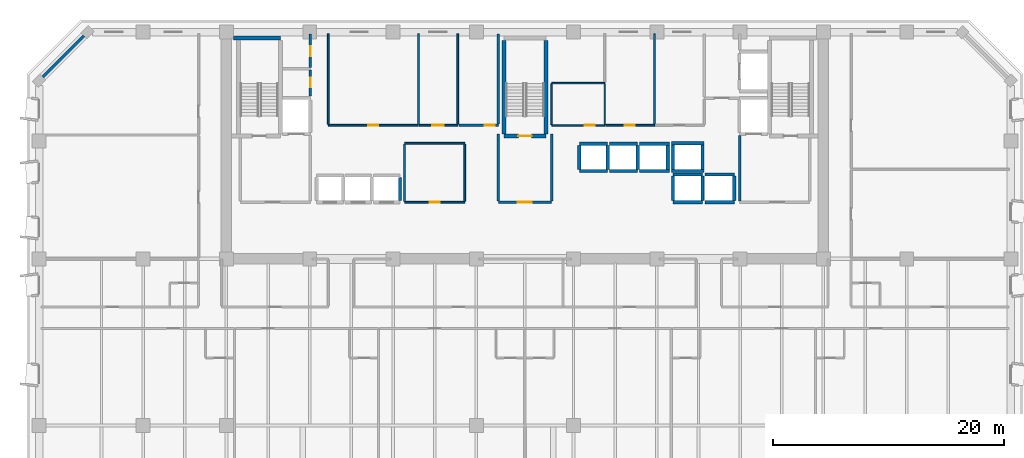
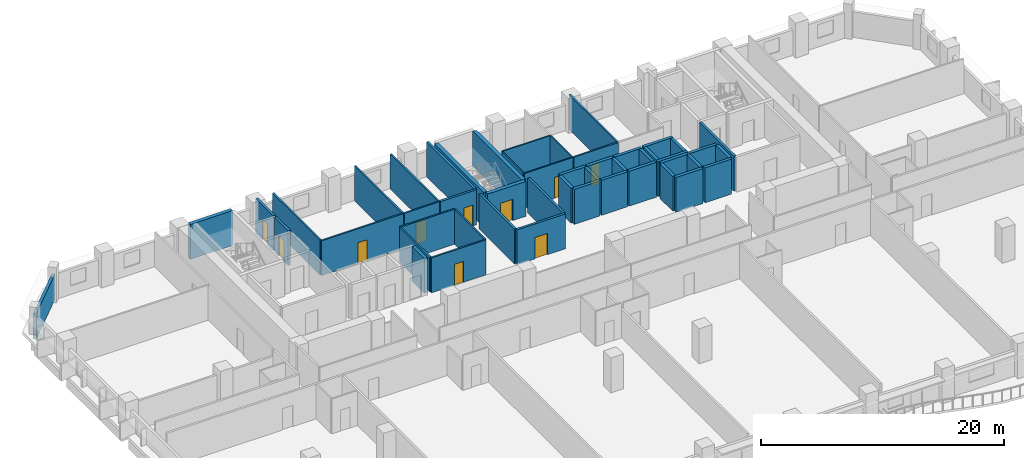
# One storey, part 7 of 15: 50 walls, 10 doors, 10 openings.
"""IFC4 building model written with IfcOpenShell, lengths in metres."""

from ifc_helpers import new_model, si_unit, direction, frame, frame_2d, origin, place, context, subcontext, project, spatial, rectangle, extrude, material, layer, layer_set, type_object, element, fill, save


model = new_model("IFC4")

# Units and contexts
model_context = context("Model", 3, precision=1e-05, world=origin(), true_north=direction((0.0, 1.0)))
body_context = subcontext(model_context, "Body", "Model", "MODEL_VIEW")
ifc_project = project(units=[si_unit("LENGTHUNIT", "METRE"), si_unit("AREAUNIT", "SQUARE_METRE"), si_unit("VOLUMEUNIT", "CUBIC_METRE"), si_unit("PLANEANGLEUNIT", "RADIAN"), si_unit("MASSUNIT", "GRAM", prefix="KILO")], contexts=[model_context])

# Site, building, storey
site_placement = place(None, origin())
site = spatial("IfcSite", under=ifc_project, at=site_placement, CompositionType="ELEMENT")
building_placement = place(site_placement, origin())
building = spatial("IfcBuilding", under=site, at=building_placement, Name="Kaelvorn Grand Hotel", CompositionType="ELEMENT")
storey_placement = place(building_placement, frame((0.0, 0.0, 111.800048828125)))
storey = spatial("IfcBuildingStorey", under=building, at=storey_placement, Name="L26", CompositionType="ELEMENT", Elevation=111.800048828125)

# Wall
ifc_material_1 = material(Name="Concrete C40/50", Category="concrete")
ifc_layer_1 = layer(ifc_material_1, 0.260009765625)
ifc_layer_set_1 = layer_set([ifc_layer_1], Name="Concrete C40/50")
wall_type_1 = type_object("IfcWallType", Name="WL-EXT-260-C40", PredefinedType="SOLIDWALL", material=ifc_layer_set_1)
wall_1_placement = place(storey_placement, frame((4.199951171875, 49.0, 0.0), z_axis=(0.0, 0.0, 1.0), x_axis=(-0.707106781187, -0.707106781187, 0.0)))
element("IfcWall", 1, at=wall_1_placement, inside=storey, type_object=wall_type_1, Name="L26 Exterior Architectural Concrete Wall 06", PredefinedType="SOLIDWALL", context=body_context, shape_type="SweptSolid", body=[
    extrude(rectangle(XDim=5.939697265625, YDim=0.260009765625, at=frame_2d((2.9697265625, 0.0))), origin(), (0.0, 0.0, 1.0), 2.56005859375),
])

# Wall, opening, door
ifc_material_2 = material(Name="Moisture-Resistant Tile & Stud Board")
ifc_layer_2 = layer(ifc_material_2, 0.125)
ifc_layer_set_2 = layer_set([ifc_layer_2], Name="Moisture-Resistant Tile & Stud Board")
wall_type_2 = type_object("IfcWallType", Name="WL-PART-125-WET", PredefinedType="PARTITIONING", material=ifc_layer_set_2)
wall_2_placement = place(storey_placement, frame((44.300048828125, 40.949951171875, 0.0), z_axis=(0.0, 0.0, 1.0), x_axis=(1.0, 0.0, 0.0)))
wall_2 = element("IfcWall", 2, at=wall_2_placement, inside=storey, type_object=wall_type_2, Name="L26 Accessible WC S Partition", PredefinedType="PARTITIONING", context=body_context, shape_type="SweptSolid", body=[
    extrude(rectangle(XDim=4.599853515625, YDim=0.125, at=frame_2d((2.2998046875, 0.0))), origin(), (0.0, 0.0, 1.0), 3.510009765625),
])
opening_1_placement = place(wall_2_placement, frame((2.85009765625, 0.0, 0.0)))
opening_1 = element("IfcOpeningElement", 3, at=opening_1_placement, cuts=wall_2, Name="Opening DI4", PredefinedType="OPENING", context=body_context, shape_type="SweptSolid", body=[
    extrude(rectangle(XDim=0.89990234375, YDim=2.10009765625, at=frame_2d((0.449951171875, 1.050048828125))), frame((0.0, 0.072509765625, 0.0), z_axis=(0.0, -1.0, 0.0), x_axis=(1.0, 0.0, 0.0)), (0.0, 0.0, 1.0), 0.14501953125),
])
ifc_material_3 = material(Name="Timber Veneer Leaf", Category="wood")
door_type_1 = type_object("IfcDoorType", Name="DR-INT-BATH-900x2100", OperationType="NOTDEFINED", PredefinedType="DOOR", material=ifc_material_3)
door_1_placement = place(opening_1_placement, origin())
door_1 = element("IfcDoor", 4, at=door_1_placement, inside=storey, type_object=door_type_1, Name="L26 Accessible WC Door", OperationType="SINGLE_SWING_LEFT", OverallHeight=2.10009765625, OverallWidth=0.89990234375, PredefinedType="DOOR", context=body_context, shape_type="SweptSolid", body=[
    extrude(rectangle(XDim=0.89990234375, YDim=2.10009765625, at=frame_2d((0.449951171875, 1.050048828125))), frame((0.0, 0.02490234375, 0.0), z_axis=(0.0, -1.0, 0.0), x_axis=(1.0, 0.0, 0.0)), (0.0, 0.0, 1.0), 0.050048828125),
])
fill(opening_1, door_1)

# Walls
wall_3_placement = place(storey_placement, frame((44.300048828125, 44.60009765625, 0.0), z_axis=(0.0, 0.0, 1.0), x_axis=(1.0, 0.0, 0.0)))
element("IfcWall", 5, at=wall_3_placement, inside=storey, type_object=wall_type_2, Name="L26 Accessible WC N Partition", PredefinedType="PARTITIONING", context=body_context, shape_type="SweptSolid", body=[
    extrude(rectangle(XDim=4.599853515625, YDim=0.125, at=frame_2d((2.2998046875, 0.0))), origin(), (0.0, 0.0, 1.0), 3.510009765625),
])
for number, where, z_axis, x_axis, name in (
    (6, (44.300048828125, 41.017578125, 0.0), (0.0, 0.0, 1.0), (0.0, 1.0, 0.0), "L26 Accessible WC W Partition"),
    (7, (48.89990234375, 41.017578125, 0.0), (0.0, 0.0, 1.0), (0.0, 1.0, 0.0), "L26 Accessible WC E Partition"),
):
    element("IfcWall", number, at=place(storey_placement, frame(where, z_axis=z_axis, x_axis=x_axis)), inside=storey, type_object=wall_type_2, Name=name, PredefinedType="PARTITIONING", context=body_context, shape_type="SweptSolid", body=[
        extrude(rectangle(XDim=3.514892578125, YDim=0.125, at=frame_2d((1.75732421875, 0.0))), origin(), (0.0, 0.0, 1.0), 3.510009765625),
    ])

# Wall, opening, door
ifc_material_4 = material(Name="Acoustic Gypsum & Stud Partition")
ifc_layer_3 = layer(ifc_material_4, 0.14990234375)
ifc_layer_set_3 = layer_set([ifc_layer_3], Name="Acoustic Gypsum & Stud Partition")
wall_type_3 = type_object("IfcWallType", Name="WL-PART-150-EI60", PredefinedType="PARTITIONING", material=ifc_layer_set_3)
wall_4_placement = place(storey_placement, frame((31.60009765625, 34.300048828125, 0.0), z_axis=(0.0, 0.0, 1.0), x_axis=(1.0, 0.0, 0.0)))
wall_4 = element("IfcWall", 8, at=wall_4_placement, inside=storey, type_object=wall_type_3, Name="L26 Core Telecoms & BMS Server Room S Partition", PredefinedType="PARTITIONING", context=body_context, shape_type="SweptSolid", body=[
    extrude(rectangle(XDim=5.199951171875, YDim=0.14990234375, at=frame_2d((2.60009765625, 0.0))), origin(), (0.0, 0.0, 1.0), 3.510009765625),
])
opening_2_placement = place(wall_4_placement, frame((2.175048828125, 0.0, 0.0)))
opening_2 = element("IfcOpeningElement", 9, at=opening_2_placement, cuts=wall_4, Name="Opening DI7", PredefinedType="OPENING", context=body_context, shape_type="SweptSolid", body=[
    extrude(rectangle(XDim=0.85009765625, YDim=2.10009765625, at=frame_2d((0.425048828125, 1.050048828125))), frame((0.0, 0.0849609375, 0.0), z_axis=(0.0, -1.0, 0.0), x_axis=(1.0, 0.0, 0.0)), (0.0, 0.0, 1.0), 0.169921875),
])
ifc_material_5 = material(Name="Powder-Coated Steel Leaf", Category="steel")
door_type_2 = type_object("IfcDoorType", Name="DR-INT-RISER-850x2100", OperationType="NOTDEFINED", PredefinedType="DOOR", material=ifc_material_5)
door_2_placement = place(opening_2_placement, origin())
door_2 = element("IfcDoor", 10, at=door_2_placement, inside=storey, type_object=door_type_2, Name="L26 Core Telecoms & BMS Server Room Door", OperationType="SINGLE_SWING_LEFT", OverallHeight=2.10009765625, OverallWidth=0.85009765625, PredefinedType="DOOR", context=body_context, shape_type="SweptSolid", body=[
    extrude(rectangle(XDim=0.85009765625, YDim=2.10009765625, at=frame_2d((0.425048828125, 1.050048828125))), frame((0.0, 0.02490234375, 0.0), z_axis=(0.0, -1.0, 0.0), x_axis=(1.0, 0.0, 0.0)), (0.0, 0.0, 1.0), 0.050048828125),
])
fill(opening_2, door_2)

# Walls
wall_5_placement = place(storey_placement, frame((31.60009765625, 39.39990234375, 0.0), z_axis=(0.0, 0.0, 1.0), x_axis=(1.0, 0.0, 0.0)))
element("IfcWall", 11, at=wall_5_placement, inside=storey, type_object=wall_type_3, Name="L26 Core Telecoms & BMS Server Room N Partition", PredefinedType="PARTITIONING", context=body_context, shape_type="SweptSolid", body=[
    extrude(rectangle(XDim=5.199951171875, YDim=0.14990234375, at=frame_2d((2.60009765625, 0.0))), origin(), (0.0, 0.0, 1.0), 3.510009765625),
])
for number, where, z_axis, x_axis, name in (
    (12, (31.60009765625, 34.3798828125, 0.0), (0.0, 0.0, 1.0), (0.0, 1.0, 0.0), "L26 Core Telecoms & BMS Server Room W Partition"),
    (13, (36.800048828125, 34.3798828125, 0.0), (0.0, 0.0, 1.0), (0.0, 1.0, 0.0), "L26 Core Telecoms & BMS Server Room E Partition"),
):
    element("IfcWall", number, at=place(storey_placement, frame(where, z_axis=z_axis, x_axis=x_axis)), inside=storey, type_object=wall_type_3, Name=name, PredefinedType="PARTITIONING", context=body_context, shape_type="SweptSolid", body=[
        extrude(rectangle(XDim=4.940185546875, YDim=0.14990234375, at=frame_2d((2.47021484375, 0.0))), origin(), (0.0, 0.0, 1.0), 3.510009765625),
    ])

# Wall, opening, door
wall_6_placement = place(storey_placement, frame((25.0, 40.949951171875, 0.0), z_axis=(0.0, 0.0, 1.0), x_axis=(1.0, 0.0, 0.0)))
wall_6 = element("IfcWall", 14, at=wall_6_placement, inside=storey, type_object=wall_type_3, Name="L26 Housekeeping & Linen Room S Partition", PredefinedType="PARTITIONING", context=body_context, shape_type="SweptSolid", body=[
    extrude(rectangle(XDim=7.800048828125, YDim=0.14990234375, at=frame_2d((3.89990234375, 0.0))), origin(), (0.0, 0.0, 1.0), 3.510009765625),
])
opening_3_placement = place(wall_6_placement, frame((3.47509765625, 0.0, 0.0)))
opening_3 = element("IfcOpeningElement", 15, at=opening_3_placement, cuts=wall_6, Name="Opening DI7", PredefinedType="OPENING", context=body_context, shape_type="SweptSolid", body=[
    extrude(rectangle(XDim=0.85009765625, YDim=2.10009765625, at=frame_2d((0.425048828125, 1.050048828125))), frame((0.0, 0.0849609375, 0.0), z_axis=(0.0, -1.0, 0.0), x_axis=(1.0, 0.0, 0.0)), (0.0, 0.0, 1.0), 0.169921875),
])
door_3_placement = place(opening_3_placement, origin())
door_3 = element("IfcDoor", 16, at=door_3_placement, inside=storey, type_object=door_type_2, Name="L26 Housekeeping & Linen Room Door", OperationType="SINGLE_SWING_RIGHT", OverallHeight=2.10009765625, OverallWidth=0.85009765625, PredefinedType="DOOR", context=body_context, shape_type="SweptSolid", body=[
    extrude(rectangle(XDim=0.85009765625, YDim=2.10009765625, at=frame_2d((0.425048828125, 1.050048828125))), frame((0.0, 0.02490234375, 0.0), z_axis=(0.0, -1.0, 0.0), x_axis=(1.0, 0.0, 0.0)), (0.0, 0.0, 1.0), 0.050048828125),
])
fill(opening_3, door_3)

# Walls
for number, where, z_axis, x_axis, name in (
    (17, (25.0, 41.030029296875, 0.0), (0.0, 0.0, 1.0), (0.0, 1.0, 0.0), "L26 Housekeeping & Linen Room W Partition"),
    (18, (32.800048828125, 41.030029296875, 0.0), (0.0, 0.0, 1.0), (0.0, 1.0, 0.0), "L26 Housekeeping & Linen Room E Partition"),
):
    element("IfcWall", number, at=place(storey_placement, frame(where, z_axis=z_axis, x_axis=x_axis)), inside=storey, type_object=wall_type_3, Name=name, PredefinedType="PARTITIONING", context=body_context, shape_type="SweptSolid", body=[
        extrude(rectangle(XDim=7.820068359375, YDim=0.14990234375, at=frame_2d((3.91015625, 0.0))), origin(), (0.0, 0.0, 1.0), 3.510009765625),
    ])

# Wall, opening, door
wall_7_placement = place(storey_placement, frame((32.8798828125, 40.949951171875, 0.0), z_axis=(0.0, 0.0, 1.0), x_axis=(1.0, 0.0, 0.0)))
wall_7 = element("IfcWall", 19, at=wall_7_placement, inside=storey, type_object=wall_type_3, Name="L26 Floor Butler Tea Point S Partition", PredefinedType="PARTITIONING", context=body_context, shape_type="SweptSolid", body=[
    extrude(rectangle(XDim=3.320068359375, YDim=0.14990234375, at=frame_2d((1.66015625, 0.0))), origin(), (0.0, 0.0, 1.0), 3.510009765625),
])
opening_4_placement = place(wall_7_placement, frame((1.1201171875, 0.0, 0.0)))
opening_4 = element("IfcOpeningElement", 20, at=opening_4_placement, cuts=wall_7, Name="Opening DI3", PredefinedType="OPENING", context=body_context, shape_type="SweptSolid", body=[
    extrude(rectangle(XDim=1.0, YDim=2.14990234375, at=frame_2d((0.5, 1.074951171875))), frame((0.0, 0.0849609375, 0.0), z_axis=(0.0, -1.0, 0.0), x_axis=(1.0, 0.0, 0.0)), (0.0, 0.0, 1.0), 0.169921875),
])
ifc_material_6 = material(Name="Timber Veneer Fire Leaf", Category="wood")
door_type_3 = type_object("IfcDoorType", Name="DR-INT-GUEST-1000x2150", OperationType="NOTDEFINED", PredefinedType="DOOR", material=ifc_material_6)
door_4_placement = place(opening_4_placement, origin())
door_4 = element("IfcDoor", 21, at=door_4_placement, inside=storey, type_object=door_type_3, Name="L26 Floor Butler Tea Point Door", OperationType="SINGLE_SWING_LEFT", OverallHeight=2.14990234375, OverallWidth=1.0, PredefinedType="DOOR", context=body_context, shape_type="SweptSolid", body=[
    extrude(rectangle(XDim=1.0, YDim=2.14990234375, at=frame_2d((0.5, 1.074951171875))), frame((0.0, 0.02490234375, 0.0), z_axis=(0.0, -1.0, 0.0), x_axis=(1.0, 0.0, 0.0)), (0.0, 0.0, 1.0), 0.050048828125),
])
fill(opening_4, door_4)

# Wall
wall_8_placement = place(storey_placement, frame((36.199951171875, 41.030029296875, 0.0), z_axis=(0.0, 0.0, 1.0), x_axis=(0.0, 1.0, 0.0)))
element("IfcWall", 22, at=wall_8_placement, inside=storey, type_object=wall_type_3, Name="L26 Floor Butler Tea Point E Partition", PredefinedType="PARTITIONING", context=body_context, shape_type="SweptSolid", body=[
    extrude(rectangle(XDim=7.820068359375, YDim=0.14990234375, at=frame_2d((3.91015625, 0.0))), origin(), (0.0, 0.0, 1.0), 3.510009765625),
])

# Wall, opening, door
wall_9_placement = place(storey_placement, frame((48.967529296875, 40.949951171875, 0.0), z_axis=(0.0, 0.0, 1.0), x_axis=(1.0, 0.0, 0.0)))
wall_9 = element("IfcWall", 23, at=wall_9_placement, inside=storey, type_object=wall_type_3, Name="L26 Minibar & Glassware Store S Partition", PredefinedType="PARTITIONING", context=body_context, shape_type="SweptSolid", body=[
    extrude(rectangle(XDim=4.232421875, YDim=0.14990234375, at=frame_2d((2.1162109375, 0.0))), origin(), (0.0, 0.0, 1.0), 3.510009765625),
])
opening_5_placement = place(wall_9_placement, frame((1.657470703125, 0.0, 0.0)))
opening_5 = element("IfcOpeningElement", 24, at=opening_5_placement, cuts=wall_9, Name="Opening DI7", PredefinedType="OPENING", context=body_context, shape_type="SweptSolid", body=[
    extrude(rectangle(XDim=0.85009765625, YDim=2.10009765625, at=frame_2d((0.425048828125, 1.050048828125))), frame((0.0, 0.0849609375, 0.0), z_axis=(0.0, -1.0, 0.0), x_axis=(1.0, 0.0, 0.0)), (0.0, 0.0, 1.0), 0.169921875),
])
door_5_placement = place(opening_5_placement, origin())
door_5 = element("IfcDoor", 25, at=door_5_placement, inside=storey, type_object=door_type_2, Name="L26 Minibar & Glassware Store Door", OperationType="SINGLE_SWING_RIGHT", OverallHeight=2.10009765625, OverallWidth=0.85009765625, PredefinedType="DOOR", context=body_context, shape_type="SweptSolid", body=[
    extrude(rectangle(XDim=0.85009765625, YDim=2.10009765625, at=frame_2d((0.425048828125, 1.050048828125))), frame((0.0, 0.02490234375, 0.0), z_axis=(0.0, -1.0, 0.0), x_axis=(1.0, 0.0, 0.0)), (0.0, 0.0, 1.0), 0.050048828125),
])
fill(opening_5, door_5)

# Walls
wall_10_placement = place(storey_placement, frame((53.199951171875, 41.030029296875, 0.0), z_axis=(0.0, 0.0, 1.0), x_axis=(0.0, 1.0, 0.0)))
element("IfcWall", 26, at=wall_10_placement, inside=storey, type_object=wall_type_3, Name="L26 Minibar & Glassware Store E Partition", PredefinedType="PARTITIONING", context=body_context, shape_type="SweptSolid", body=[
    extrude(rectangle(XDim=7.820068359375, YDim=0.14990234375, at=frame_2d((3.91015625, 0.0))), origin(), (0.0, 0.0, 1.0), 3.510009765625),
])
ifc_layer_4 = layer(ifc_material_1, 0.219970703125)
ifc_layer_set_4 = layer_set([ifc_layer_4], Name="Concrete C40/50")
wall_type_4 = type_object("IfcWallType", Name="WL-PART-220-EI120", PredefinedType="PARTITIONING", material=ifc_layer_set_4)
wall_11_placement = place(storey_placement, frame((60.550048828125, 34.4150390625, 0.0), z_axis=(0.0, 0.0, 1.0), x_axis=(0.0, 1.0, 0.0)))
element("IfcWall", 27, at=wall_11_placement, inside=storey, type_object=wall_type_4, Name="L26 Firefighting Lift Lobby 2 W Partition", PredefinedType="PARTITIONING", context=body_context, shape_type="SweptSolid", body=[
    extrude(rectangle(XDim=5.639892578125, YDim=0.219970703125, at=frame_2d((2.81982421875, 0.0))), origin(), (0.0, 0.0, 1.0), 3.510009765625),
])

# Wall, opening, door
wall_12_placement = place(storey_placement, frame((39.699951171875, 34.300048828125, 0.0), z_axis=(0.0, 0.0, 1.0), x_axis=(1.0, 0.0, 0.0)))
wall_12 = element("IfcWall", 28, at=wall_12_placement, inside=storey, type_object=wall_type_4, Name="L26 Central Stair Escape Vestibule S Partition", PredefinedType="PARTITIONING", context=body_context, shape_type="SweptSolid", body=[
    extrude(rectangle(XDim=4.60009765625, YDim=0.219970703125, at=frame_2d((2.300048828125, 0.0))), origin(), (0.0, 0.0, 1.0), 3.510009765625),
])
opening_6_placement = place(wall_12_placement, frame((1.699951171875, 0.0, 0.0)))
opening_6 = element("IfcOpeningElement", 29, at=opening_6_placement, cuts=wall_12, Name="Opening DI2", PredefinedType="OPENING", context=body_context, shape_type="SweptSolid", body=[
    extrude(rectangle(XDim=1.199951171875, YDim=2.14990234375, at=frame_2d((0.60009765625, 1.074951171875))), frame((0.0, 0.1201171875, 0.0), z_axis=(0.0, -1.0, 0.0), x_axis=(1.0, 0.0, 0.0)), (0.0, 0.0, 1.0), 0.239990234375),
])
door_type_4 = type_object("IfcDoorType", Name="DR-INT-FFLOB-1200x2150", OperationType="NOTDEFINED", PredefinedType="DOOR", material=ifc_material_6)
door_6_placement = place(opening_6_placement, origin())
door_6 = element("IfcDoor", 30, at=door_6_placement, inside=storey, type_object=door_type_4, Name="L26 Central Stair Escape Vestibule Door", OperationType="SINGLE_SWING_LEFT", OverallHeight=2.14990234375, OverallWidth=1.199951171875, PredefinedType="DOOR", context=body_context, shape_type="SweptSolid", body=[
    extrude(rectangle(XDim=1.199951171875, YDim=2.14990234375, at=frame_2d((0.60009765625, 1.074951171875))), frame((0.0, 0.02490234375, 0.0), z_axis=(0.0, -1.0, 0.0), x_axis=(1.0, 0.0, 0.0)), (0.0, 0.0, 1.0), 0.050048828125),
])
fill(opening_6, door_6)

# Walls
for number, where, z_axis, x_axis, name in (
    (31, (39.699951171875, 34.4150390625, 0.0), (0.0, 0.0, 1.0), (0.0, 1.0, 0.0), "L26 Central Stair Escape Vestibule W Partition"),
    (32, (44.300048828125, 34.4150390625, 0.0), (0.0, 0.0, 1.0), (0.0, 1.0, 0.0), "L26 Central Stair Escape Vestibule E Partition"),
):
    element("IfcWall", number, at=place(storey_placement, frame(where, z_axis=z_axis, x_axis=x_axis)), inside=storey, type_object=wall_type_4, Name=name, PredefinedType="PARTITIONING", context=body_context, shape_type="SweptSolid", body=[
        extrude(rectangle(XDim=5.784912109375, YDim=0.219970703125, at=frame_2d((2.892578125, 0.0))), origin(), (0.0, 0.0, 1.0), 3.510009765625),
    ])

# Wall, opening, door
wall_13_placement = place(storey_placement, frame((23.449951171875, 43.5, 0.0), z_axis=(0.0, 0.0, 1.0), x_axis=(0.0, 1.0, 0.0)))
wall_13 = element("IfcWall", 33, at=wall_13_placement, inside=storey, type_object=wall_type_4, Name="L26 Wet Fire & Plumbing Riser Shaft E Partition", PredefinedType="PARTITIONING", context=body_context, shape_type="SweptSolid", body=[
    extrude(rectangle(XDim=2.235107421875, YDim=0.219970703125, at=frame_2d((1.11767578125, 0.0))), origin(), (0.0, 0.0, 1.0), 3.510009765625),
])
opening_7_placement = place(wall_13_placement, frame((0.72509765625, 0.0, 0.0)))
opening_7 = element("IfcOpeningElement", 34, at=opening_7_placement, cuts=wall_13, Name="Opening DI7", PredefinedType="OPENING", context=body_context, shape_type="SweptSolid", body=[
    extrude(rectangle(XDim=0.85009765625, YDim=2.10009765625, at=frame_2d((0.425048828125, 1.050048828125))), frame((0.0, 0.1201171875, 0.0), z_axis=(0.0, -1.0, 0.0), x_axis=(1.0, 0.0, 0.0)), (0.0, 0.0, 1.0), 0.239990234375),
])
door_7_placement = place(opening_7_placement, origin())
door_7 = element("IfcDoor", 35, at=door_7_placement, inside=storey, type_object=door_type_2, Name="L26 Wet Fire & Plumbing Riser Shaft Door", OperationType="SINGLE_SWING_LEFT", OverallHeight=2.10009765625, OverallWidth=0.85009765625, PredefinedType="DOOR", context=body_context, shape_type="SweptSolid", body=[
    extrude(rectangle(XDim=0.85009765625, YDim=2.10009765625, at=frame_2d((0.425048828125, 1.050048828125))), frame((0.0, 0.02490234375, 0.0), z_axis=(0.0, -1.0, 0.0), x_axis=(1.0, 0.0, 0.0)), (0.0, 0.0, 1.0), 0.050048828125),
])
fill(opening_7, door_7)

wall_14_placement = place(storey_placement, frame((23.449951171875, 45.965087890625, 0.0), z_axis=(0.0, 0.0, 1.0), x_axis=(0.0, 1.0, 0.0)))
wall_14 = element("IfcWall", 36, at=wall_14_placement, inside=storey, type_object=wall_type_4, Name="L26 HV Electrical & Smoke Riser E Partition", PredefinedType="PARTITIONING", context=body_context, shape_type="SweptSolid", body=[
    extrude(rectangle(XDim=2.885009765625, YDim=0.219970703125, at=frame_2d((1.4423828125, 0.0))), origin(), (0.0, 0.0, 1.0), 3.510009765625),
])
opening_8_placement = place(wall_14_placement, frame((0.9599609375, 0.0, 0.0)))
opening_8 = element("IfcOpeningElement", 37, at=opening_8_placement, cuts=wall_14, Name="Opening DI7", PredefinedType="OPENING", context=body_context, shape_type="SweptSolid", body=[
    extrude(rectangle(XDim=0.85009765625, YDim=2.10009765625, at=frame_2d((0.425048828125, 1.050048828125))), frame((0.0, 0.1201171875, 0.0), z_axis=(0.0, -1.0, 0.0), x_axis=(1.0, 0.0, 0.0)), (0.0, 0.0, 1.0), 0.239990234375),
])
door_8_placement = place(opening_8_placement, origin())
door_8 = element("IfcDoor", 38, at=door_8_placement, inside=storey, type_object=door_type_2, Name="L26 HV Electrical & Smoke Riser Door", OperationType="SINGLE_SWING_RIGHT", OverallHeight=2.10009765625, OverallWidth=0.85009765625, PredefinedType="DOOR", context=body_context, shape_type="SweptSolid", body=[
    extrude(rectangle(XDim=0.85009765625, YDim=2.10009765625, at=frame_2d((0.425048828125, 1.050048828125))), frame((0.0, 0.02490234375, 0.0), z_axis=(0.0, -1.0, 0.0), x_axis=(1.0, 0.0, 0.0)), (0.0, 0.0, 1.0), 0.050048828125),
])
fill(opening_8, door_8)

wall_15_placement = place(storey_placement, frame((36.280029296875, 40.949951171875, 0.0), z_axis=(0.0, 0.0, 1.0), x_axis=(1.0, 0.0, 0.0)))
wall_15 = element("IfcWall", 39, at=wall_15_placement, inside=storey, type_object=wall_type_4, Name="L26 LV Electrical & Metering Room S Partition", PredefinedType="PARTITIONING", context=body_context, shape_type="SweptSolid", body=[
    extrude(rectangle(XDim=3.419921875, YDim=0.219970703125, at=frame_2d((1.7099609375, 0.0))), origin(), (0.0, 0.0, 1.0), 3.510009765625),
])
opening_9_placement = place(wall_15_placement, frame((2.2451171875, 0.0, 0.0)))
opening_9 = element("IfcOpeningElement", 40, at=opening_9_placement, cuts=wall_15, Name="Opening DI7", PredefinedType="OPENING", context=body_context, shape_type="SweptSolid", body=[
    extrude(rectangle(XDim=0.85009765625, YDim=2.10009765625, at=frame_2d((0.425048828125, 1.050048828125))), frame((0.0, 0.1201171875, 0.0), z_axis=(0.0, -1.0, 0.0), x_axis=(1.0, 0.0, 0.0)), (0.0, 0.0, 1.0), 0.239990234375),
])
door_9_placement = place(opening_9_placement, origin())
door_9 = element("IfcDoor", 41, at=door_9_placement, inside=storey, type_object=door_type_2, Name="L26 LV Electrical & Metering Room Door", OperationType="SINGLE_SWING_RIGHT", OverallHeight=2.10009765625, OverallWidth=0.85009765625, PredefinedType="DOOR", context=body_context, shape_type="SweptSolid", body=[
    extrude(rectangle(XDim=0.85009765625, YDim=2.10009765625, at=frame_2d((0.425048828125, 1.050048828125))), frame((0.0, 0.02490234375, 0.0), z_axis=(0.0, -1.0, 0.0), x_axis=(1.0, 0.0, 0.0)), (0.0, 0.0, 1.0), 0.050048828125),
])
fill(opening_9, door_9)

# Walls
wall_16_placement = place(storey_placement, frame((39.699951171875, 41.06494140625, 0.0), z_axis=(0.0, 0.0, 1.0), x_axis=(0.0, 1.0, 0.0)))
element("IfcWall", 42, at=wall_16_placement, inside=storey, type_object=wall_type_4, Name="L26 LV Electrical & Metering Room E Partition", PredefinedType="PARTITIONING", context=body_context, shape_type="SweptSolid", body=[
    extrude(rectangle(XDim=7.78515625, YDim=0.219970703125, at=frame_2d((3.892578125, 0.0))), origin(), (0.0, 0.0, 1.0), 3.510009765625),
])
ifc_material_7 = material(Name="Concrete C50/60", Category="concrete")
ifc_layer_5 = layer(ifc_material_7, 0.280029296875)
ifc_layer_set_5 = layer_set([ifc_layer_5], Name="Concrete C50/60")
wall_type_5 = type_object("IfcWallType", Name="WL-SHAFT-280-C50", PredefinedType="SHEAR", material=ifc_layer_set_5)
wall_17_placement = place(storey_placement, frame((31.199951171875, 34.445068359375, 0.0), z_axis=(0.0, 0.0, 1.0), x_axis=(0.0, 1.0, 0.0)))
element("IfcWall", 43, at=wall_17_placement, inside=storey, type_object=wall_type_5, Name="L26 Lift PL-L3 Shaft East Wall", PredefinedType="SHEAR", context=body_context, shape_type="SweptSolid", body=[
    extrude(rectangle(XDim=2.010009765625, YDim=0.280029296875, at=frame_2d((1.0048828125, 0.0))), origin(), (0.0, 0.0, 1.0), 3.510009765625),
])
for number, where, z_axis, x_axis, name in (
    (44, (46.699951171875, 37.0, 0.0), (0.0, 0.0, 1.0), (1.0, 0.0, 0.0), "L26 Lift SL-1 Shaft South Wall"),
    (45, (46.699951171875, 39.35009765625, 0.0), (0.0, 0.0, 1.0), (1.0, 0.0, 0.0), "L26 Lift SL-1 Shaft North Wall"),
):
    element("IfcWall", number, at=place(storey_placement, frame(where, z_axis=z_axis, x_axis=x_axis)), inside=storey, type_object=wall_type_5, Name=name, PredefinedType="SHEAR", context=body_context, shape_type="SweptSolid", body=[
        extrude(rectangle(XDim=2.449951171875, YDim=0.280029296875, at=frame_2d((1.22509765625, 0.0))), origin(), (0.0, 0.0, 1.0), 3.510009765625),
    ])
for number, where, z_axis, x_axis, name in (
    (46, (46.699951171875, 37.14501953125, 0.0), (0.0, 0.0, 1.0), (0.0, 1.0, 0.0), "L26 Lift SL-1 Shaft West Wall"),
    (47, (49.14990234375, 37.14501953125, 0.0), (0.0, 0.0, 1.0), (0.0, 1.0, 0.0), "L26 Lift SL-1 Shaft East Wall"),
):
    element("IfcWall", number, at=place(storey_placement, frame(where, z_axis=z_axis, x_axis=x_axis)), inside=storey, type_object=wall_type_5, Name=name, PredefinedType="SHEAR", context=body_context, shape_type="SweptSolid", body=[
        extrude(rectangle(XDim=2.06005859375, YDim=0.280029296875, at=frame_2d((1.030029296875, 0.0))), origin(), (0.0, 0.0, 1.0), 3.510009765625),
    ])
for number, where, z_axis, x_axis, name in (
    (48, (49.300048828125, 37.0, 0.0), (0.0, 0.0, 1.0), (1.0, 0.0, 0.0), "L26 Lift SL-2 Shaft South Wall"),
    (49, (49.300048828125, 39.35009765625, 0.0), (0.0, 0.0, 1.0), (1.0, 0.0, 0.0), "L26 Lift SL-2 Shaft North Wall"),
):
    element("IfcWall", number, at=place(storey_placement, frame(where, z_axis=z_axis, x_axis=x_axis)), inside=storey, type_object=wall_type_5, Name=name, PredefinedType="SHEAR", context=body_context, shape_type="SweptSolid", body=[
        extrude(rectangle(XDim=2.449951171875, YDim=0.280029296875, at=frame_2d((1.22509765625, 0.0))), origin(), (0.0, 0.0, 1.0), 3.510009765625),
    ])
wall_18_placement = place(storey_placement, frame((51.75, 37.14501953125, 0.0), z_axis=(0.0, 0.0, 1.0), x_axis=(0.0, 1.0, 0.0)))
element("IfcWall", 50, at=wall_18_placement, inside=storey, type_object=wall_type_5, Name="L26 Lift SL-2 Shaft East Wall", PredefinedType="SHEAR", context=body_context, shape_type="SweptSolid", body=[
    extrude(rectangle(XDim=2.06005859375, YDim=0.280029296875, at=frame_2d((1.030029296875, 0.0))), origin(), (0.0, 0.0, 1.0), 3.510009765625),
])
for number, where, z_axis, x_axis, name in (
    (51, (51.89990234375, 37.0, 0.0), (0.0, 0.0, 1.0), (1.0, 0.0, 0.0), "L26 Lift SL-3 Shaft South Wall"),
    (52, (51.89990234375, 39.35009765625, 0.0), (0.0, 0.0, 1.0), (1.0, 0.0, 0.0), "L26 Lift SL-3 Shaft North Wall"),
):
    element("IfcWall", number, at=place(storey_placement, frame(where, z_axis=z_axis, x_axis=x_axis)), inside=storey, type_object=wall_type_5, Name=name, PredefinedType="SHEAR", context=body_context, shape_type="SweptSolid", body=[
        extrude(rectangle(XDim=2.590087890625, YDim=0.280029296875, at=frame_2d((1.294921875, 0.0))), origin(), (0.0, 0.0, 1.0), 3.510009765625),
    ])
wall_19_placement = place(storey_placement, frame((54.35009765625, 37.14501953125, 0.0), z_axis=(0.0, 0.0, 1.0), x_axis=(0.0, 1.0, 0.0)))
element("IfcWall", 53, at=wall_19_placement, inside=storey, type_object=wall_type_5, Name="L26 Lift SL-3 Shaft East Wall", PredefinedType="SHEAR", context=body_context, shape_type="SweptSolid", body=[
    extrude(rectangle(XDim=2.06005859375, YDim=0.280029296875, at=frame_2d((1.030029296875, 0.0))), origin(), (0.0, 0.0, 1.0), 3.510009765625),
])
for number, where, z_axis, x_axis, name in (
    (54, (54.800048828125, 34.300048828125, 0.0), (0.0, 0.0, 1.0), (1.0, 0.0, 0.0), "L26 Lift OL-1 Shaft South Wall"),
    (55, (54.800048828125, 36.699951171875, 0.0), (0.0, 0.0, 1.0), (1.0, 0.0, 0.0), "L26 Lift OL-1 Shaft North Wall"),
):
    element("IfcWall", number, at=place(storey_placement, frame(where, z_axis=z_axis, x_axis=x_axis)), inside=storey, type_object=wall_type_5, Name=name, PredefinedType="SHEAR", context=body_context, shape_type="SweptSolid", body=[
        extrude(rectangle(XDim=2.550048828125, YDim=0.280029296875, at=frame_2d((1.27490234375, 0.0))), origin(), (0.0, 0.0, 1.0), 3.510009765625),
    ])
for number, where, z_axis, x_axis, name in (
    (56, (54.800048828125, 34.445068359375, 0.0), (0.0, 0.0, 1.0), (0.0, 1.0, 0.0), "L26 Lift OL-1 Shaft West Wall"),
    (57, (57.35009765625, 34.445068359375, 0.0), (0.0, 0.0, 1.0), (0.0, 1.0, 0.0), "L26 Lift OL-1 Shaft East Wall"),
):
    element("IfcWall", number, at=place(storey_placement, frame(where, z_axis=z_axis, x_axis=x_axis)), inside=storey, type_object=wall_type_5, Name=name, PredefinedType="SHEAR", context=body_context, shape_type="SweptSolid", body=[
        extrude(rectangle(XDim=2.10986328125, YDim=0.280029296875, at=frame_2d((1.054931640625, 0.0))), origin(), (0.0, 0.0, 1.0), 3.510009765625),
    ])
for number, where, z_axis, x_axis, name in (
    (58, (57.550048828125, 34.300048828125, 0.0), (0.0, 0.0, 1.0), (1.0, 0.0, 0.0), "L26 Lift OL-2 Shaft South Wall"),
    (59, (57.550048828125, 36.699951171875, 0.0), (0.0, 0.0, 1.0), (1.0, 0.0, 0.0), "L26 Lift OL-2 Shaft North Wall"),
):
    element("IfcWall", number, at=place(storey_placement, frame(where, z_axis=z_axis, x_axis=x_axis)), inside=storey, type_object=wall_type_5, Name=name, PredefinedType="SHEAR", context=body_context, shape_type="SweptSolid", body=[
        extrude(rectangle(XDim=2.550048828125, YDim=0.280029296875, at=frame_2d((1.27490234375, 0.0))), origin(), (0.0, 0.0, 1.0), 3.510009765625),
    ])
wall_20_placement = place(storey_placement, frame((60.10009765625, 34.445068359375, 0.0), z_axis=(0.0, 0.0, 1.0), x_axis=(0.0, 1.0, 0.0)))
element("IfcWall", 60, at=wall_20_placement, inside=storey, type_object=wall_type_5, Name="L26 Lift OL-2 Shaft East Wall", PredefinedType="SHEAR", context=body_context, shape_type="SweptSolid", body=[
    extrude(rectangle(XDim=2.10986328125, YDim=0.280029296875, at=frame_2d((1.054931640625, 0.0))), origin(), (0.0, 0.0, 1.0), 3.510009765625),
])
for number, where, z_axis, x_axis, name in (
    (61, (54.659912109375, 37.0, 0.0), (0.0, 0.0, 1.0), (1.0, 0.0, 0.0), "L26 Lift OL-3 Shaft South Wall"),
    (62, (54.659912109375, 39.39990234375, 0.0), (0.0, 0.0, 1.0), (1.0, 0.0, 0.0), "L26 Lift OL-3 Shaft North Wall"),
):
    element("IfcWall", number, at=place(storey_placement, frame(where, z_axis=z_axis, x_axis=x_axis)), inside=storey, type_object=wall_type_5, Name=name, PredefinedType="SHEAR", context=body_context, shape_type="SweptSolid", body=[
        extrude(rectangle(XDim=2.830078125, YDim=0.280029296875, at=frame_2d((1.4150390625, 0.0))), origin(), (0.0, 0.0, 1.0), 3.510009765625),
    ])
for number, where, z_axis, x_axis, name in (
    (63, (54.800048828125, 37.14501953125, 0.0), (0.0, 0.0, 1.0), (0.0, 1.0, 0.0), "L26 Lift OL-3 Shaft West Wall"),
    (64, (57.35009765625, 37.14501953125, 0.0), (0.0, 0.0, 1.0), (0.0, 1.0, 0.0), "L26 Lift OL-3 Shaft East Wall"),
):
    element("IfcWall", number, at=place(storey_placement, frame(where, z_axis=z_axis, x_axis=x_axis)), inside=storey, type_object=wall_type_5, Name=name, PredefinedType="SHEAR", context=body_context, shape_type="SweptSolid", body=[
        extrude(rectangle(XDim=2.10986328125, YDim=0.280029296875, at=frame_2d((1.054931640625, 0.0))), origin(), (0.0, 0.0, 1.0), 3.510009765625),
    ])
ifc_material_8 = material(Name="Concrete C60/75", Category="concrete")
ifc_layer_6 = layer(ifc_material_8, 0.35009765625)
ifc_layer_set_6 = layer_set([ifc_layer_6], Name="Concrete C60/75")
wall_type_6 = type_object("IfcWallType", Name="WL-SHAFT-350-C60", PredefinedType="SHEAR", material=ifc_layer_set_6)
wall_21_placement = place(storey_placement, frame((16.804931640625, 48.47509765625, 0.0), z_axis=(0.0, 0.0, 1.0), x_axis=(1.0, 0.0, 0.0)))
element("IfcWall", 65, at=wall_21_placement, inside=storey, type_object=wall_type_6, Name="L26 ST1 Stair Shaft North Wall", PredefinedType="SHEAR", context=body_context, shape_type="SweptSolid", body=[
    extrude(rectangle(XDim=4.050048828125, YDim=0.35009765625, at=frame_2d((2.02490234375, 0.0))), origin(), (0.0, 0.0, 1.0), 3.510009765625),
])

# Wall, opening, door
wall_22_placement = place(storey_placement, frame((40.18505859375, 40.02490234375, 0.0), z_axis=(0.0, 0.0, 1.0), x_axis=(1.0, 0.0, 0.0)))
wall_22 = element("IfcWall", 66, at=wall_22_placement, inside=storey, type_object=wall_type_6, Name="L26 ST2 Stair Shaft South Wall", PredefinedType="SHEAR", context=body_context, shape_type="SweptSolid", body=[
    extrude(rectangle(XDim=3.6298828125, YDim=0.35009765625, at=frame_2d((1.81494140625, 0.0))), origin(), (0.0, 0.0, 1.0), 3.510009765625),
])
opening_10_placement = place(wall_22_placement, frame((1.239990234375, 0.0, 0.0)))
opening_10 = element("IfcOpeningElement", 67, at=opening_10_placement, cuts=wall_22, Name="Opening DI1", PredefinedType="OPENING", context=body_context, shape_type="SweptSolid", body=[
    extrude(rectangle(XDim=1.14990234375, YDim=2.14990234375, at=frame_2d((0.574951171875, 1.074951171875))), frame((0.0, 0.18505859375, 0.0), z_axis=(0.0, -1.0, 0.0), x_axis=(1.0, 0.0, 0.0)), (0.0, 0.0, 1.0), 0.3701171875),
])
door_type_5 = type_object("IfcDoorType", Name="DR-INT-STAIR-1150x2150", OperationType="NOTDEFINED", PredefinedType="DOOR", material=ifc_material_6)
door_10_placement = place(opening_10_placement, origin())
door_10 = element("IfcDoor", 68, at=door_10_placement, inside=storey, type_object=door_type_5, Name="L26 ST2 Exit Stair Fire Door", OperationType="SINGLE_SWING_LEFT", OverallHeight=2.14990234375, OverallWidth=1.14990234375, PredefinedType="DOOR", context=body_context, shape_type="SweptSolid", body=[
    extrude(rectangle(XDim=1.14990234375, YDim=2.14990234375, at=frame_2d((0.574951171875, 1.074951171875))), frame((0.0, 0.02490234375, 0.0), z_axis=(0.0, -1.0, 0.0), x_axis=(1.0, 0.0, 0.0)), (0.0, 0.0, 1.0), 0.050048828125),
])
fill(opening_10, door_10)

# Walls
for number, where, z_axis, x_axis, name in (
    (69, (40.18505859375, 40.205078125, 0.0), (0.0, 0.0, 1.0), (0.0, 1.0, 0.0), "L26 ST2 Stair Shaft West Wall"),
    (70, (43.81494140625, 40.205078125, 0.0), (0.0, 0.0, 1.0), (0.0, 1.0, 0.0), "L26 ST2 Stair Shaft East Wall"),
):
    element("IfcWall", number, at=place(storey_placement, frame(where, z_axis=z_axis, x_axis=x_axis)), inside=storey, type_object=wall_type_6, Name=name, PredefinedType="SHEAR", context=body_context, shape_type="SweptSolid", body=[
        extrude(rectangle(XDim=8.08984375, YDim=0.35009765625, at=frame_2d((4.044921875, 0.0))), origin(), (0.0, 0.0, 1.0), 3.510009765625),
    ])

save(model, "model.ifc")
